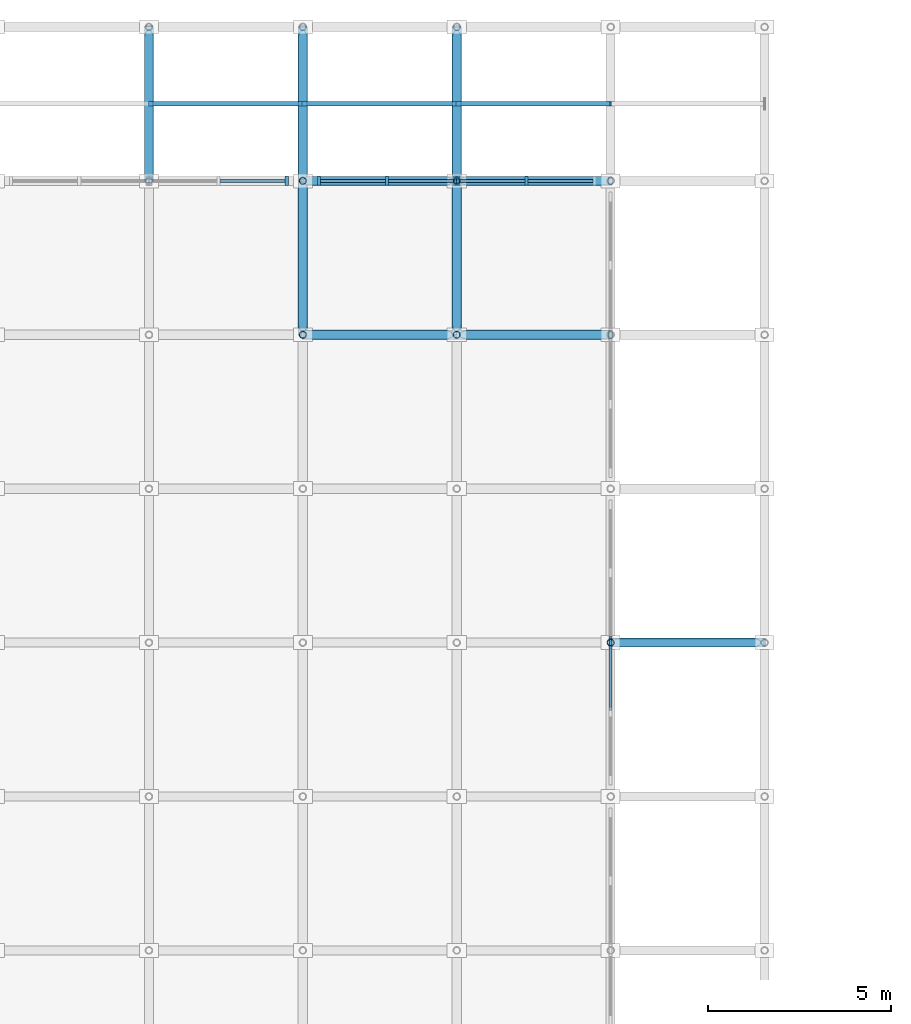
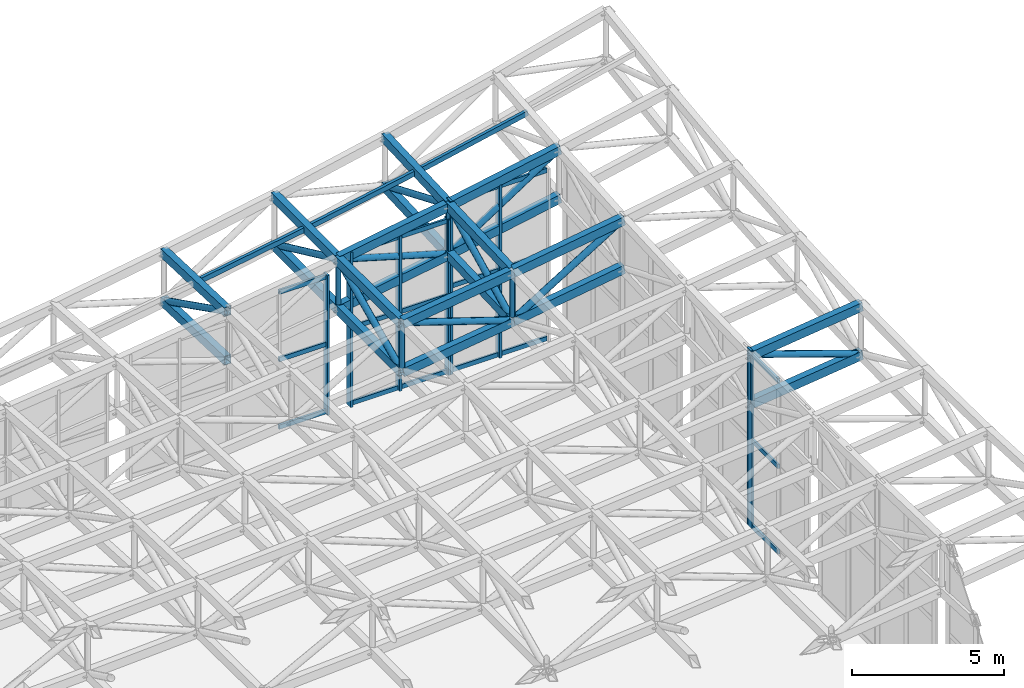
# One storey, part 59 of 111: 64 members, 5 elements without a shape of their own.
"""IFC4 building model written with IfcOpenShell, lengths in metres."""

from ifc_helpers import new_model, si_unit, direction, frame, origin, origin_2d, place, context, subcontext, project, spatial, rectangle, hollow_rectangle, hollow_circle, extrude, material, material_profile, profile_set, type_object, element, aggregate, save


model = new_model("IFC4")

# Units and contexts
model_context = context("Model", 3, precision=1e-05, world=origin(), true_north=direction((0.0, 1.0)))
body_context = subcontext(model_context, "Body", "Model", "MODEL_VIEW")
ifc_project = project(units=[si_unit("LENGTHUNIT", "METRE"), si_unit("AREAUNIT", "SQUARE_METRE"), si_unit("VOLUMEUNIT", "CUBIC_METRE"), si_unit("PLANEANGLEUNIT", "RADIAN"), si_unit("MASSUNIT", "GRAM", prefix="KILO")], contexts=[model_context])

# Site, building, storey
site_placement = place(None, origin())
site = spatial("IfcSite", under=ifc_project, at=site_placement, CompositionType="ELEMENT")
building_placement = place(site_placement, origin())
building = spatial("IfcBuilding", under=site, at=building_placement, Name="Cumbredor Promenade Congress Hotel", CompositionType="ELEMENT")
storey_placement = place(building_placement, frame((0.0, 0.0, 15.1201171875)))
storey = spatial("IfcBuildingStorey", under=building, at=storey_placement, Name="L04", CompositionType="ELEMENT", Elevation=15.1201171875)

# Curtain wall, member
ifc_material_1 = material(Name="Thermally broken anodized aluminium and low-E glass", Category="aluminium")
curtain_wall_type = type_object("IfcCurtainWallType", Name="Stepped Pavilion Clerestory Curtain Wall CW-06", PredefinedType="NOTDEFINED", material=ifc_material_1)
curtain_wall_1_placement = place(storey_placement, origin())
curtain_wall_1 = element("IfcCurtainWall", 1, at=curtain_wall_1_placement, inside=storey, type_object=curtain_wall_type, Name="Pre-Function and Breakout Meeting Forum N Glazed Clerestory 18", PredefinedType="NOTDEFINED")
ifc_material_2 = material(Name="Thermally broken anodized aluminium", Category="aluminium")
ifc_material_profile_1 = material_profile(ifc_material_2, rectangle(XDim=0.0849609375, YDim=0.260009765625, at=origin_2d()), Name="ALU MULLION CLERESTORY 85x260")
ifc_profile_set_1 = profile_set([ifc_material_profile_1], Name="Thermally broken anodized aluminium")
member_type_1 = type_object("IfcMemberType", Name="Curtain Wall Mullion ML-04", PredefinedType="MULLION", material=ifc_profile_set_1)
member_1_placement = place(storey_placement, frame((167.56005859375, 117.60009765625, -0.01806640625), z_axis=(0.0, 0.0, 1.0), x_axis=(1.0, 0.0, 0.0)))
member_1 = element("IfcMember", 2, at=member_1_placement, type_object=member_type_1, Name="Pre-Function and Breakout Meeting Forum N Glazed Clerestory 18 Mullion 3", PredefinedType="MULLION", context=body_context, shape_type="SweptSolid", body=[
    extrude(rectangle(XDim=0.0849609375, YDim=0.260009765625, at=origin_2d()), origin(), (0.0, 0.0, 1.0), 5.6123046875),
])

# Curtain wall, members
curtain_wall_2_placement = place(storey_placement, origin())
curtain_wall_2 = element("IfcCurtainWall", 3, at=curtain_wall_2_placement, inside=storey, type_object=curtain_wall_type, Name="Pre-Function and Breakout Meeting Forum N Glazed Clerestory 19", PredefinedType="NOTDEFINED")
member_2_placement = place(storey_placement, frame((168.43994140625, 117.60009765625, -0.01806640625), z_axis=(0.0, 0.0, 1.0), x_axis=(1.0, 0.0, 0.0)))
member_2 = element("IfcMember", 4, at=member_2_placement, type_object=member_type_1, Name="Pre-Function and Breakout Meeting Forum N Glazed Clerestory 19 Mullion 1", PredefinedType="MULLION", context=body_context, shape_type="SweptSolid", body=[
    extrude(rectangle(XDim=0.0849609375, YDim=0.260009765625, at=origin_2d()), origin(), (0.0, 0.0, 1.0), 6.243896484375),
])
member_3_placement = place(storey_placement, frame((170.300048828125, 117.60009765625, -0.01806640625), z_axis=(0.0, 0.0, 1.0), x_axis=(1.0, 0.0, 0.0)))
member_3 = element("IfcMember", 5, at=member_3_placement, type_object=member_type_1, Name="Pre-Function and Breakout Meeting Forum N Glazed Clerestory 19 Mullion 2", PredefinedType="MULLION", context=body_context, shape_type="SweptSolid", body=[
    extrude(rectangle(XDim=0.0849609375, YDim=0.260009765625, at=origin_2d()), origin(), (0.0, 0.0, 1.0), 6.243896484375),
])
member_4_placement = place(storey_placement, frame((172.159912109375, 117.60009765625, -0.01806640625), z_axis=(0.0, 0.0, 1.0), x_axis=(1.0, 0.0, 0.0)))
member_4 = element("IfcMember", 6, at=member_4_placement, type_object=member_type_1, Name="Pre-Function and Breakout Meeting Forum N Glazed Clerestory 19 Mullion 3", PredefinedType="MULLION", context=body_context, shape_type="SweptSolid", body=[
    extrude(rectangle(XDim=0.0849609375, YDim=0.260009765625, at=origin_2d()), origin(), (0.0, 0.0, 1.0), 6.243896484375),
])

curtain_wall_3_placement = place(storey_placement, origin())
curtain_wall_3 = element("IfcCurtainWall", 7, at=curtain_wall_3_placement, inside=storey, type_object=curtain_wall_type, Name="Pre-Function and Breakout Meeting Forum N Glazed Clerestory 20", PredefinedType="NOTDEFINED")
member_5_placement = place(storey_placement, frame((172.239990234375, 117.60009765625, -0.01806640625), z_axis=(0.0, 0.0, 1.0), x_axis=(1.0, 0.0, 0.0)))
member_5 = element("IfcMember", 8, at=member_5_placement, type_object=member_type_1, Name="Pre-Function and Breakout Meeting Forum N Glazed Clerestory 20 Mullion 1", PredefinedType="MULLION", context=body_context, shape_type="SweptSolid", body=[
    extrude(rectangle(XDim=0.0849609375, YDim=0.260009765625, at=origin_2d()), origin(), (0.0, 0.0, 1.0), 6.959228515625),
])
member_6_placement = place(storey_placement, frame((174.10009765625, 117.60009765625, -0.01806640625), z_axis=(0.0, 0.0, 1.0), x_axis=(1.0, 0.0, 0.0)))
member_6 = element("IfcMember", 9, at=member_6_placement, type_object=member_type_1, Name="Pre-Function and Breakout Meeting Forum N Glazed Clerestory 20 Mullion 2", PredefinedType="MULLION", context=body_context, shape_type="SweptSolid", body=[
    extrude(rectangle(XDim=0.0849609375, YDim=0.260009765625, at=origin_2d()), origin(), (0.0, 0.0, 1.0), 6.959228515625),
])

# Curtain wall, member
curtain_wall_4_placement = place(storey_placement, origin())
curtain_wall_4 = element("IfcCurtainWall", 10, at=curtain_wall_4_placement, inside=storey, type_object=curtain_wall_type, Name="Pre-Function and Breakout Meeting Forum E Glazed Clerestory 5", PredefinedType="NOTDEFINED")
member_7_placement = place(storey_placement, frame((176.39990234375, 104.9599609375, -0.01806640625), z_axis=(0.0, 0.0, 1.0), x_axis=(1.0, 0.0, 0.0)))
member_7 = element("IfcMember", 11, at=member_7_placement, type_object=member_type_1, Name="Pre-Function and Breakout Meeting Forum E Glazed Clerestory 5 Mullion 3", PredefinedType="MULLION", context=body_context, shape_type="SweptSolid", body=[
    extrude(rectangle(XDim=0.0849609375, YDim=0.260009765625, at=origin_2d()), origin(), (0.0, 0.0, 1.0), 7.078125),
])

curtain_wall_5_placement = place(storey_placement, origin())
curtain_wall_5 = element("IfcCurtainWall", 12, at=curtain_wall_5_placement, inside=storey, type_object=curtain_wall_type, Name="Pre-Function and Breakout Meeting Forum E Glazed Clerestory 6", PredefinedType="NOTDEFINED")
member_8_placement = place(storey_placement, frame((176.39990234375, 105.0400390625, -0.01806640625), z_axis=(0.0, 0.0, 1.0), x_axis=(1.0, 0.0, 0.0)))
member_8 = element("IfcMember", 13, at=member_8_placement, type_object=member_type_1, Name="Pre-Function and Breakout Meeting Forum E Glazed Clerestory 6 Mullion 1", PredefinedType="MULLION", context=body_context, shape_type="SweptSolid", body=[
    extrude(rectangle(XDim=0.0849609375, YDim=0.260009765625, at=origin_2d()), origin(), (0.0, 0.0, 1.0), 7.12060546875),
])
aggregate(curtain_wall_5, [member_8])

# Member
ifc_material_profile_2 = material_profile(ifc_material_2, rectangle(XDim=0.080078125, YDim=0.179931640625, at=origin_2d()), Name="ALU TRANSOM 80x180")
ifc_profile_set_2 = profile_set([ifc_material_profile_2], Name="Thermally broken anodized aluminium")
member_type_2 = type_object("IfcMemberType", Name="Curtain Wall Transom TR-03", PredefinedType="USERDEFINED", material=ifc_profile_set_2)
member_9_placement = place(storey_placement, frame((165.742431640625, 117.60009765625, 0.079833984375), z_axis=(1.0, 0.0, 0.0), x_axis=(0.0, 1.0, 0.0)))
member_9 = element("IfcMember", 14, at=member_9_placement, type_object=member_type_2, Name="Pre-Function and Breakout Meeting Forum N Glazed Clerestory 18 Transom 2.1", ObjectType="TRANSOM", PredefinedType="USERDEFINED", context=body_context, shape_type="SweptSolid", body=[
    extrude(rectangle(XDim=0.080078125, YDim=0.179931640625, at=origin_2d()), origin(), (0.0, 0.0, 1.0), 1.775146484375),
])

member_10_placement = place(storey_placement, frame((165.742431640625, 117.60009765625, 2.789794921875), z_axis=(1.0, 0.0, 0.0), x_axis=(0.0, 1.0, 0.0)))
member_10 = element("IfcMember", 15, at=member_10_placement, type_object=member_type_2, Name="Pre-Function and Breakout Meeting Forum N Glazed Clerestory 18 Transom 2.2", ObjectType="TRANSOM", PredefinedType="USERDEFINED", context=body_context, shape_type="SweptSolid", body=[
    extrude(rectangle(XDim=0.080078125, YDim=0.179931640625, at=origin_2d()), origin(), (0.0, 0.0, 1.0), 1.775146484375),
])

member_11_placement = place(storey_placement, frame((165.742431640625, 117.60009765625, 5.5), z_axis=(1.0, 0.0, 0.0), x_axis=(0.0, 1.0, 0.0)))
member_11 = element("IfcMember", 16, at=member_11_placement, type_object=member_type_2, Name="Pre-Function and Breakout Meeting Forum N Glazed Clerestory 18 Transom 2.3", ObjectType="TRANSOM", PredefinedType="USERDEFINED", context=body_context, shape_type="SweptSolid", body=[
    extrude(rectangle(XDim=0.080078125, YDim=0.179931640625, at=origin_2d()), origin(), (0.0, 0.0, 1.0), 1.775146484375),
])

aggregate(curtain_wall_1, [member_1, member_9, member_10, member_11])

member_12_placement = place(storey_placement, frame((168.482421875, 117.60009765625, 0.079833984375), z_axis=(1.0, 0.0, 0.0), x_axis=(0.0, 1.0, 0.0)))
member_12 = element("IfcMember", 17, at=member_12_placement, type_object=member_type_2, Name="Pre-Function and Breakout Meeting Forum N Glazed Clerestory 19 Transom 1.1", ObjectType="TRANSOM", PredefinedType="USERDEFINED", context=body_context, shape_type="SweptSolid", body=[
    extrude(rectangle(XDim=0.080078125, YDim=0.179931640625, at=origin_2d()), origin(), (0.0, 0.0, 1.0), 1.775146484375),
])

member_13_placement = place(storey_placement, frame((168.482421875, 117.60009765625, 3.10986328125), z_axis=(1.0, 0.0, 0.0), x_axis=(0.0, 1.0, 0.0)))
member_13 = element("IfcMember", 18, at=member_13_placement, type_object=member_type_2, Name="Pre-Function and Breakout Meeting Forum N Glazed Clerestory 19 Transom 1.2", ObjectType="TRANSOM", PredefinedType="USERDEFINED", context=body_context, shape_type="SweptSolid", body=[
    extrude(rectangle(XDim=0.080078125, YDim=0.179931640625, at=origin_2d()), origin(), (0.0, 0.0, 1.0), 1.775146484375),
])

member_14_placement = place(storey_placement, frame((168.482421875, 117.60009765625, 6.1298828125), z_axis=(1.0, 0.0, 0.0), x_axis=(0.0, 1.0, 0.0)))
member_14 = element("IfcMember", 19, at=member_14_placement, type_object=member_type_2, Name="Pre-Function and Breakout Meeting Forum N Glazed Clerestory 19 Transom 1.3", ObjectType="TRANSOM", PredefinedType="USERDEFINED", context=body_context, shape_type="SweptSolid", body=[
    extrude(rectangle(XDim=0.080078125, YDim=0.179931640625, at=origin_2d()), origin(), (0.0, 0.0, 1.0), 1.775146484375),
])

member_15_placement = place(storey_placement, frame((170.342529296875, 117.60009765625, 0.079833984375), z_axis=(1.0, 0.0, 0.0), x_axis=(0.0, 1.0, 0.0)))
member_15 = element("IfcMember", 20, at=member_15_placement, type_object=member_type_2, Name="Pre-Function and Breakout Meeting Forum N Glazed Clerestory 19 Transom 2.1", ObjectType="TRANSOM", PredefinedType="USERDEFINED", context=body_context, shape_type="SweptSolid", body=[
    extrude(rectangle(XDim=0.080078125, YDim=0.179931640625, at=origin_2d()), origin(), (0.0, 0.0, 1.0), 1.77490234375),
])

member_16_placement = place(storey_placement, frame((170.342529296875, 117.60009765625, 3.10986328125), z_axis=(1.0, 0.0, 0.0), x_axis=(0.0, 1.0, 0.0)))
member_16 = element("IfcMember", 21, at=member_16_placement, type_object=member_type_2, Name="Pre-Function and Breakout Meeting Forum N Glazed Clerestory 19 Transom 2.2", ObjectType="TRANSOM", PredefinedType="USERDEFINED", context=body_context, shape_type="SweptSolid", body=[
    extrude(rectangle(XDim=0.080078125, YDim=0.179931640625, at=origin_2d()), origin(), (0.0, 0.0, 1.0), 1.77490234375),
])

member_17_placement = place(storey_placement, frame((170.342529296875, 117.60009765625, 6.1298828125), z_axis=(1.0, 0.0, 0.0), x_axis=(0.0, 1.0, 0.0)))
member_17 = element("IfcMember", 22, at=member_17_placement, type_object=member_type_2, Name="Pre-Function and Breakout Meeting Forum N Glazed Clerestory 19 Transom 2.3", ObjectType="TRANSOM", PredefinedType="USERDEFINED", context=body_context, shape_type="SweptSolid", body=[
    extrude(rectangle(XDim=0.080078125, YDim=0.179931640625, at=origin_2d()), origin(), (0.0, 0.0, 1.0), 1.77490234375),
])

aggregate(curtain_wall_2, [member_2, member_3, member_4, member_12, member_13, member_14, member_15, member_16, member_17])

member_18_placement = place(storey_placement, frame((172.282470703125, 117.60009765625, 0.079833984375), z_axis=(1.0, 0.0, 0.0), x_axis=(0.0, 1.0, 0.0)))
member_18 = element("IfcMember", 23, at=member_18_placement, type_object=member_type_2, Name="Pre-Function and Breakout Meeting Forum N Glazed Clerestory 20 Transom 1.1", ObjectType="TRANSOM", PredefinedType="USERDEFINED", context=body_context, shape_type="SweptSolid", body=[
    extrude(rectangle(XDim=0.080078125, YDim=0.179931640625, at=origin_2d()), origin(), (0.0, 0.0, 1.0), 1.775146484375),
])

member_19_placement = place(storey_placement, frame((172.282470703125, 117.60009765625, 3.4599609375), z_axis=(1.0, 0.0, 0.0), x_axis=(0.0, 1.0, 0.0)))
member_19 = element("IfcMember", 24, at=member_19_placement, type_object=member_type_2, Name="Pre-Function and Breakout Meeting Forum N Glazed Clerestory 20 Transom 1.2", ObjectType="TRANSOM", PredefinedType="USERDEFINED", context=body_context, shape_type="SweptSolid", body=[
    extrude(rectangle(XDim=0.080078125, YDim=0.179931640625, at=origin_2d()), origin(), (0.0, 0.0, 1.0), 1.775146484375),
])

member_20_placement = place(storey_placement, frame((172.282470703125, 117.60009765625, 6.83984375), z_axis=(1.0, 0.0, 0.0), x_axis=(0.0, 1.0, 0.0)))
member_20 = element("IfcMember", 25, at=member_20_placement, type_object=member_type_2, Name="Pre-Function and Breakout Meeting Forum N Glazed Clerestory 20 Transom 1.3", ObjectType="TRANSOM", PredefinedType="USERDEFINED", context=body_context, shape_type="SweptSolid", body=[
    extrude(rectangle(XDim=0.080078125, YDim=0.179931640625, at=origin_2d()), origin(), (0.0, 0.0, 1.0), 1.775146484375),
])

member_21_placement = place(storey_placement, frame((174.142578125, 117.60009765625, 0.079833984375), z_axis=(1.0, 0.0, 0.0), x_axis=(0.0, 1.0, 0.0)))
member_21 = element("IfcMember", 26, at=member_21_placement, type_object=member_type_2, Name="Pre-Function and Breakout Meeting Forum N Glazed Clerestory 20 Transom 2.1", ObjectType="TRANSOM", PredefinedType="USERDEFINED", context=body_context, shape_type="SweptSolid", body=[
    extrude(rectangle(XDim=0.080078125, YDim=0.179931640625, at=origin_2d()), origin(), (0.0, 0.0, 1.0), 1.77490234375),
])

member_22_placement = place(storey_placement, frame((174.142578125, 117.60009765625, 3.4599609375), z_axis=(1.0, 0.0, 0.0), x_axis=(0.0, 1.0, 0.0)))
member_22 = element("IfcMember", 27, at=member_22_placement, type_object=member_type_2, Name="Pre-Function and Breakout Meeting Forum N Glazed Clerestory 20 Transom 2.2", ObjectType="TRANSOM", PredefinedType="USERDEFINED", context=body_context, shape_type="SweptSolid", body=[
    extrude(rectangle(XDim=0.080078125, YDim=0.179931640625, at=origin_2d()), origin(), (0.0, 0.0, 1.0), 1.77490234375),
])

member_23_placement = place(storey_placement, frame((174.142578125, 117.60009765625, 6.83984375), z_axis=(1.0, 0.0, 0.0), x_axis=(0.0, 1.0, 0.0)))
member_23 = element("IfcMember", 28, at=member_23_placement, type_object=member_type_2, Name="Pre-Function and Breakout Meeting Forum N Glazed Clerestory 20 Transom 2.3", ObjectType="TRANSOM", PredefinedType="USERDEFINED", context=body_context, shape_type="SweptSolid", body=[
    extrude(rectangle(XDim=0.080078125, YDim=0.179931640625, at=origin_2d()), origin(), (0.0, 0.0, 1.0), 1.77490234375),
])

aggregate(curtain_wall_3, [member_5, member_6, member_18, member_19, member_20, member_21, member_22, member_23])

member_24_placement = place(storey_placement, frame((176.39990234375, 103.142578125, 0.079833984375), z_axis=(0.0, 1.0, 0.0), x_axis=(-1.0, 0.0, 0.0)))
member_24 = element("IfcMember", 29, at=member_24_placement, type_object=member_type_2, Name="Pre-Function and Breakout Meeting Forum E Glazed Clerestory 5 Transom 2.1", ObjectType="TRANSOM", PredefinedType="USERDEFINED", context=body_context, shape_type="SweptSolid", body=[
    extrude(rectangle(XDim=0.080078125, YDim=0.179931640625, at=origin_2d()), origin(), (0.0, 0.0, 1.0), 1.77490234375),
])

member_25_placement = place(storey_placement, frame((176.39990234375, 103.142578125, 3.519775390625), z_axis=(0.0, 1.0, 0.0), x_axis=(-1.0, 0.0, 0.0)))
member_25 = element("IfcMember", 30, at=member_25_placement, type_object=member_type_2, Name="Pre-Function and Breakout Meeting Forum E Glazed Clerestory 5 Transom 2.2", ObjectType="TRANSOM", PredefinedType="USERDEFINED", context=body_context, shape_type="SweptSolid", body=[
    extrude(rectangle(XDim=0.080078125, YDim=0.179931640625, at=origin_2d()), origin(), (0.0, 0.0, 1.0), 1.77490234375),
])

member_26_placement = place(storey_placement, frame((176.39990234375, 103.142578125, 6.9599609375), z_axis=(0.0, 1.0, 0.0), x_axis=(-1.0, 0.0, 0.0)))
member_26 = element("IfcMember", 31, at=member_26_placement, type_object=member_type_2, Name="Pre-Function and Breakout Meeting Forum E Glazed Clerestory 5 Transom 2.3", ObjectType="TRANSOM", PredefinedType="USERDEFINED", context=body_context, shape_type="SweptSolid", body=[
    extrude(rectangle(XDim=0.080078125, YDim=0.179931640625, at=origin_2d()), origin(), (0.0, 0.0, 1.0), 1.77490234375),
])

aggregate(curtain_wall_4, [member_7, member_24, member_25, member_26])

# Members
ifc_material_3 = material(Name="Steel ASTM A500 Grade C", Category="steel")
ifc_material_profile_3 = material_profile(ifc_material_3, hollow_rectangle(XDim=0.25, YDim=0.35009765625, WallThickness=0.01611328125, at=origin_2d()), Name="HSS 350x250x16")
ifc_profile_set_3 = profile_set([ifc_material_profile_3], Name="Steel ASTM A500 Grade C")
member_type_3 = type_object("IfcMemberType", Name="Forum Roof Truss Chord", PredefinedType="CHORD", material=ifc_profile_set_3)
for number, where, z_axis, x_axis, name in (
    (32, (176.39990234375, 105.0, 6.9013671875), (0.992667000964, 0.0, 0.120881037376), (0.0, 1.0, 0.0), "Pre-Function and Breakout Meeting Forum X Top Chord 22.7"),
    (33, (176.39990234375, 105.0, 4.951416015625), (0.992667000964, 0.0, 0.120881037376), (0.0, 1.0, 0.0), "Pre-Function and Breakout Meeting Forum X Bottom Chord 22.7"),
):
    element("IfcMember", number, at=place(storey_placement, frame(where, z_axis=z_axis, x_axis=x_axis)), inside=storey, type_object=member_type_3, Name=name, PredefinedType="CHORD", context=body_context, shape_type="SweptSolid", body=[
        extrude(hollow_rectangle(XDim=0.25, YDim=0.35009765625, WallThickness=0.01611328125, at=origin_2d()), origin(), (0.0, 0.0, 1.0), 4.231201171875),
    ])
for number, where, z_axis, x_axis, name in (
    (34, (168.0, 113.39990234375, 6.02587890625), (0.99078279409, 0.0, 0.135460159955), (0.0, 1.0, 0.0), "Pre-Function and Breakout Meeting Forum X Top Chord 20.9"),
    (35, (168.0, 113.39990234375, 4.07568359375), (0.990775062808, 0.0, 0.135516696087), (0.0, 1.0, 0.0), "Pre-Function and Breakout Meeting Forum X Bottom Chord 20.9"),
):
    element("IfcMember", number, at=place(storey_placement, frame(where, z_axis=z_axis, x_axis=x_axis)), inside=storey, type_object=member_type_3, Name=name, PredefinedType="CHORD", context=body_context, shape_type="SweptSolid", body=[
        extrude(hollow_rectangle(XDim=0.25, YDim=0.35009765625, WallThickness=0.01611328125, at=origin_2d()), origin(), (0.0, 0.0, 1.0), 4.239013671875),
    ])
for number, where, z_axis, x_axis, name in (
    (36, (172.199951171875, 113.39990234375, 6.60009765625), (0.988523328552, 0.0, 0.151068292203), (0.0, 1.0, 0.0), "Pre-Function and Breakout Meeting Forum X Top Chord 21.9"),
    (37, (172.199951171875, 113.39990234375, 4.650146484375), (0.988523328552, 0.0, 0.151068292203), (0.0, 1.0, 0.0), "Pre-Function and Breakout Meeting Forum X Bottom Chord 21.9"),
):
    element("IfcMember", number, at=place(storey_placement, frame(where, z_axis=z_axis, x_axis=x_axis)), inside=storey, type_object=member_type_3, Name=name, PredefinedType="CHORD", context=body_context, shape_type="SweptSolid", body=[
        extrude(hollow_rectangle(XDim=0.25, YDim=0.35009765625, WallThickness=0.01611328125, at=origin_2d()), origin(), (0.0, 0.0, 1.0), 4.248779296875),
    ])
for number, where, z_axis, x_axis, name in (
    (38, (168.0, 117.60009765625, 6.02490234375), (0.985803819477, 0.0, 0.167901249263), (0.0, 1.0, 0.0), "Pre-Function and Breakout Meeting Forum X Top Chord 20.10"),
    (39, (168.0, 117.60009765625, 4.07470703125), (0.98579433314, 0.0, 0.167956937187), (0.0, 1.0, 0.0), "Pre-Function and Breakout Meeting Forum X Bottom Chord 20.10"),
):
    element("IfcMember", number, at=place(storey_placement, frame(where, z_axis=z_axis, x_axis=x_axis)), inside=storey, type_object=member_type_3, Name=name, PredefinedType="CHORD", context=body_context, shape_type="SweptSolid", body=[
        extrude(hollow_rectangle(XDim=0.25, YDim=0.35009765625, WallThickness=0.01611328125, at=origin_2d()), origin(), (0.0, 0.0, 1.0), 4.260498046875),
    ])
for number, where, z_axis, x_axis, name in (
    (40, (172.199951171875, 117.60009765625, 6.740234375), (0.982367544191, 0.0, 0.186959910462), (0.0, 1.0, 0.0), "Pre-Function and Breakout Meeting Forum X Top Chord 21.10"),
    (41, (172.199951171875, 117.60009765625, 4.790283203125), (0.982367544191, 0.0, 0.186959910462), (0.0, 1.0, 0.0), "Pre-Function and Breakout Meeting Forum X Bottom Chord 21.10"),
):
    element("IfcMember", number, at=place(storey_placement, frame(where, z_axis=z_axis, x_axis=x_axis)), inside=storey, type_object=member_type_3, Name=name, PredefinedType="CHORD", context=body_context, shape_type="SweptSolid", body=[
        extrude(hollow_rectangle(XDim=0.25, YDim=0.35009765625, WallThickness=0.01611328125, at=origin_2d()), origin(), (0.0, 0.0, 1.0), 4.275390625),
    ])
for number, where, z_axis, x_axis, name in (
    (42, (163.800048828125, 117.60009765625, 5.39306640625), (0.0, 0.999282553953, -0.037873174747), (-1.0, 0.0, 0.0), "Pre-Function and Breakout Meeting Forum Y Top Chord 19.10"),
    (43, (163.800048828125, 117.60009765625, 3.443115234375), (0.0, 0.999282553953, -0.037873174747), (-1.0, 0.0, 0.0), "Pre-Function and Breakout Meeting Forum Y Bottom Chord 19.10"),
):
    element("IfcMember", number, at=place(storey_placement, frame(where, z_axis=z_axis, x_axis=x_axis)), inside=storey, type_object=member_type_3, Name=name, PredefinedType="CHORD", context=body_context, shape_type="SweptSolid", body=[
        extrude(hollow_rectangle(XDim=0.25, YDim=0.35009765625, WallThickness=0.01611328125, at=origin_2d()), origin(), (0.0, 0.0, 1.0), 4.202880859375),
    ])
for number, where, z_axis, x_axis, name in (
    (44, (168.0, 113.39990234375, 6.02587890625), (0.0, 0.999999972971, -0.000232504063), (-1.0, 0.0, 0.0), "Pre-Function and Breakout Meeting Forum Y Top Chord 20.9"),
    (45, (168.0, 113.39990234375, 4.07568359375), (0.0, 0.999999972971, -0.000232504063), (-1.0, 0.0, 0.0), "Pre-Function and Breakout Meeting Forum Y Bottom Chord 20.9"),
):
    element("IfcMember", number, at=place(storey_placement, frame(where, z_axis=z_axis, x_axis=x_axis)), inside=storey, type_object=member_type_3, Name=name, PredefinedType="CHORD", context=body_context, shape_type="SweptSolid", body=[
        extrude(hollow_rectangle(XDim=0.25, YDim=0.35009765625, WallThickness=0.01611328125, at=origin_2d()), origin(), (0.0, 0.0, 1.0), 4.2001953125),
    ])
for number, where, z_axis, x_axis, name in (
    (46, (168.0, 117.60009765625, 6.02490234375), (0.0, 0.999999939178, 0.000348776355), (-1.0, 0.0, 0.0), "Pre-Function and Breakout Meeting Forum Y Top Chord 20.10"),
    (47, (168.0, 117.60009765625, 4.07470703125), (0.0, 0.999999939178, 0.000348776355), (-1.0, 0.0, 0.0), "Pre-Function and Breakout Meeting Forum Y Bottom Chord 20.10"),
):
    element("IfcMember", number, at=place(storey_placement, frame(where, z_axis=z_axis, x_axis=x_axis)), inside=storey, type_object=member_type_3, Name=name, PredefinedType="CHORD", context=body_context, shape_type="SweptSolid", body=[
        extrude(hollow_rectangle(XDim=0.25, YDim=0.35009765625, WallThickness=0.01611328125, at=origin_2d()), origin(), (0.0, 0.0, 1.0), 4.199951171875),
    ])
for number, where, z_axis, x_axis, name in (
    (48, (172.199951171875, 113.39990234375, 6.60009765625), (0.0, 0.999443874869, 0.033345779131), (-1.0, 0.0, 0.0), "Pre-Function and Breakout Meeting Forum Y Top Chord 21.9"),
    (49, (172.199951171875, 113.39990234375, 4.650146484375), (0.0, 0.999443874869, 0.033345779131), (-1.0, 0.0, 0.0), "Pre-Function and Breakout Meeting Forum Y Bottom Chord 21.9"),
):
    element("IfcMember", number, at=place(storey_placement, frame(where, z_axis=z_axis, x_axis=x_axis)), inside=storey, type_object=member_type_3, Name=name, PredefinedType="CHORD", context=body_context, shape_type="SweptSolid", body=[
        extrude(hollow_rectangle(XDim=0.25, YDim=0.35009765625, WallThickness=0.01611328125, at=origin_2d()), origin(), (0.0, 0.0, 1.0), 4.20263671875),
    ])
for number, where, z_axis, x_axis, name in (
    (50, (172.199951171875, 117.60009765625, 6.740234375), (0.0, 0.99904594053, 0.043671600725), (-1.0, 0.0, 0.0), "Pre-Function and Breakout Meeting Forum Y Top Chord 21.10"),
    (51, (172.199951171875, 117.60009765625, 4.790283203125), (0.0, 0.99904594053, 0.043671600725), (-1.0, 0.0, 0.0), "Pre-Function and Breakout Meeting Forum Y Bottom Chord 21.10"),
):
    element("IfcMember", number, at=place(storey_placement, frame(where, z_axis=z_axis, x_axis=x_axis)), inside=storey, type_object=member_type_3, Name=name, PredefinedType="CHORD", context=body_context, shape_type="SweptSolid", body=[
        extrude(hollow_rectangle(XDim=0.25, YDim=0.35009765625, WallThickness=0.01611328125, at=origin_2d()), origin(), (0.0, 0.0, 1.0), 4.203857421875),
    ])
ifc_material_profile_4 = material_profile(ifc_material_3, hollow_rectangle(XDim=0.1201171875, YDim=0.199951171875, WallThickness=0.010009765625, at=origin_2d()), Name="HSS 200x120x10")
ifc_profile_set_4 = profile_set([ifc_material_profile_4], Name="Steel ASTM A500 Grade C")
member_type_4 = type_object("IfcMemberType", Name="Roof Purlin HSS200x120", PredefinedType="PURLIN", material=ifc_profile_set_4)
member_27_placement = place(storey_placement, frame((163.800048828125, 119.699951171875, 5.293701171875), z_axis=(0.985936316925, 0.0, 0.167121449756), x_axis=(0.0, 1.0, 0.0)))
element("IfcMember", 52, at=member_27_placement, inside=storey, type_object=member_type_4, Name="Pre-Function and Breakout Meeting Forum Roof Eave Purlin 19.10", PredefinedType="PURLIN", context=body_context, shape_type="SweptSolid", body=[
    extrude(hollow_rectangle(XDim=0.1201171875, YDim=0.199951171875, WallThickness=0.010009765625, at=origin_2d()), origin(), (0.0, 0.0, 1.0), 4.259765625),
])
member_28_placement = place(storey_placement, frame((168.0, 119.699951171875, 6.005615234375), z_axis=(0.982062187843, 0.0, 0.188557310146), x_axis=(0.0, 1.0, 0.0)))
element("IfcMember", 53, at=member_28_placement, inside=storey, type_object=member_type_4, Name="Pre-Function and Breakout Meeting Forum Roof Eave Purlin 20.10", PredefinedType="PURLIN", context=body_context, shape_type="SweptSolid", body=[
    extrude(hollow_rectangle(XDim=0.1201171875, YDim=0.199951171875, WallThickness=0.010009765625, at=origin_2d()), origin(), (0.0, 0.0, 1.0), 4.276611328125),
])
member_29_placement = place(storey_placement, frame((172.199951171875, 119.699951171875, 6.81201171875), z_axis=(0.97775997453, 0.0, 0.209727042145), x_axis=(0.0, 1.0, 0.0)))
element("IfcMember", 54, at=member_29_placement, inside=storey, type_object=member_type_4, Name="Pre-Function and Breakout Meeting Forum Roof Eave Purlin 21.10", PredefinedType="PURLIN", context=body_context, shape_type="SweptSolid", body=[
    extrude(hollow_rectangle(XDim=0.1201171875, YDim=0.199951171875, WallThickness=0.010009765625, at=origin_2d()), origin(), (0.0, 0.0, 1.0), 4.29541015625),
])
ifc_material_profile_5 = material_profile(ifc_material_3, hollow_circle(Radius=0.122314453125, WallThickness=0.012451171875, at=origin_2d()), Name="CHS 244.5x12.5")
ifc_profile_set_5 = profile_set([ifc_material_profile_5], Name="Steel ASTM A500 Grade C")
member_type_5 = type_object("IfcMemberType", Name="Space Frame Web Diagonal D2", PredefinedType="BRACE", material=ifc_profile_set_5)
member_30_placement = place(storey_placement, frame((176.39990234375, 105.0, 6.9013671875), z_axis=(0.94605579221, 0.0, -0.324003762364), x_axis=(0.0, 1.0, 0.0)))
element("IfcMember", 55, at=member_30_placement, inside=storey, type_object=member_type_5, Name="Pre-Function and Breakout Meeting Forum X Web Diagonal 22.7", PredefinedType="BRACE", context=body_context, shape_type="SweptSolid", body=[
    extrude(hollow_circle(Radius=0.122314453125, WallThickness=0.012451171875, at=origin_2d()), origin(), (0.0, 0.0, 1.0), 4.439697265625),
])
member_31_placement = place(storey_placement, frame((168.0, 113.39990234375, 6.02587890625), z_axis=(0.950316635251, 0.0, -0.3112849061), x_axis=(0.0, 1.0, 0.0)))
element("IfcMember", 56, at=member_31_placement, inside=storey, type_object=member_type_5, Name="Pre-Function and Breakout Meeting Forum X Web Diagonal 20.9", PredefinedType="BRACE", context=body_context, shape_type="SweptSolid", body=[
    extrude(hollow_circle(Radius=0.122314453125, WallThickness=0.012451171875, at=origin_2d()), origin(), (0.0, 0.0, 1.0), 4.41943359375),
])
member_32_placement = place(storey_placement, frame((172.199951171875, 113.39990234375, 4.650146484375), z_axis=(0.851005438244, 0.0, 0.525156875685), x_axis=(0.0, 1.0, 0.0)))
element("IfcMember", 57, at=member_32_placement, inside=storey, type_object=member_type_5, Name="Pre-Function and Breakout Meeting Forum X Web Diagonal 21.9", PredefinedType="BRACE", context=body_context, shape_type="SweptSolid", body=[
    extrude(hollow_circle(Radius=0.122314453125, WallThickness=0.012451171875, at=origin_2d()), origin(), (0.0, 0.0, 1.0), 4.935302734375),
])
member_33_placement = place(storey_placement, frame((168.0, 117.60009765625, 6.02490234375), z_axis=(0.959406341943, 0.0, -0.282027429588), x_axis=(0.0, 1.0, 0.0)))
element("IfcMember", 58, at=member_33_placement, inside=storey, type_object=member_type_5, Name="Pre-Function and Breakout Meeting Forum X Web Diagonal 20.10", PredefinedType="BRACE", context=body_context, shape_type="SweptSolid", body=[
    extrude(hollow_circle(Radius=0.122314453125, WallThickness=0.012451171875, at=origin_2d()), origin(), (0.0, 0.0, 1.0), 4.377685546875),
])
member_34_placement = place(storey_placement, frame((172.199951171875, 117.60009765625, 4.790283203125), z_axis=(0.836682471757, 0.0, 0.547688270328), x_axis=(0.0, 1.0, 0.0)))
element("IfcMember", 59, at=member_34_placement, inside=storey, type_object=member_type_5, Name="Pre-Function and Breakout Meeting Forum X Web Diagonal 21.10", PredefinedType="BRACE", context=body_context, shape_type="SweptSolid", body=[
    extrude(hollow_circle(Radius=0.122314453125, WallThickness=0.012451171875, at=origin_2d()), origin(), (0.0, 0.0, 1.0), 5.019775390625),
])
member_35_placement = place(storey_placement, frame((163.800048828125, 117.60009765625, 5.39306640625), z_axis=(0.0, 0.89364662626, -0.448771330829), x_axis=(-1.0, 0.0, 0.0)))
element("IfcMember", 60, at=member_35_placement, inside=storey, type_object=member_type_5, Name="Pre-Function and Breakout Meeting Forum Y Web Diagonal 19.10", PredefinedType="BRACE", context=body_context, shape_type="SweptSolid", body=[
    extrude(hollow_circle(Radius=0.122314453125, WallThickness=0.012451171875, at=origin_2d()), origin(), (0.0, 0.0, 1.0), 4.69970703125),
])
member_36_placement = place(storey_placement, frame((168.0, 113.39990234375, 4.07568359375), z_axis=(0.0, 0.907080877393, 0.420956389509), x_axis=(-1.0, 0.0, 0.0)))
element("IfcMember", 61, at=member_36_placement, inside=storey, type_object=member_type_5, Name="Pre-Function and Breakout Meeting Forum Y Web Diagonal 20.9", PredefinedType="BRACE", context=body_context, shape_type="SweptSolid", body=[
    extrude(hollow_circle(Radius=0.122314453125, WallThickness=0.012451171875, at=origin_2d()), origin(), (0.0, 0.0, 1.0), 4.63037109375),
])
member_37_placement = place(storey_placement, frame((168.0, 117.60009765625, 6.02490234375), z_axis=(0.0, 0.907111799886, -0.420889751014), x_axis=(-1.0, 0.0, 0.0)))
element("IfcMember", 62, at=member_37_placement, inside=storey, type_object=member_type_5, Name="Pre-Function and Breakout Meeting Forum Y Web Diagonal 20.10", PredefinedType="BRACE", context=body_context, shape_type="SweptSolid", body=[
    extrude(hollow_circle(Radius=0.122314453125, WallThickness=0.012451171875, at=origin_2d()), origin(), (0.0, 0.0, 1.0), 4.630126953125),
])
member_38_placement = place(storey_placement, frame((172.199951171875, 113.39990234375, 4.650146484375), z_axis=(0.0, 0.895279001982, 0.445505901881), x_axis=(-1.0, 0.0, 0.0)))
element("IfcMember", 63, at=member_38_placement, inside=storey, type_object=member_type_5, Name="Pre-Function and Breakout Meeting Forum Y Web Diagonal 21.9", PredefinedType="BRACE", context=body_context, shape_type="SweptSolid", body=[
    extrude(hollow_circle(Radius=0.122314453125, WallThickness=0.012451171875, at=origin_2d()), origin(), (0.0, 0.0, 1.0), 4.69140625),
])
member_39_placement = place(storey_placement, frame((172.199951171875, 117.60009765625, 6.740234375), z_axis=(0.0, 0.921795668475, -0.387676083324), x_axis=(-1.0, 0.0, 0.0)))
element("IfcMember", 64, at=member_39_placement, inside=storey, type_object=member_type_5, Name="Pre-Function and Breakout Meeting Forum Y Web Diagonal 21.10", PredefinedType="BRACE", context=body_context, shape_type="SweptSolid", body=[
    extrude(hollow_circle(Radius=0.122314453125, WallThickness=0.012451171875, at=origin_2d()), origin(), (0.0, 0.0, 1.0), 4.55615234375),
])
ifc_material_profile_6 = material_profile(ifc_material_3, hollow_circle(Radius=0.096923828125, WallThickness=0.010009765625, at=origin_2d()), Name="CHS 193.7x10")
ifc_profile_set_6 = profile_set([ifc_material_profile_6], Name="Steel ASTM A500 Grade C")
member_type_6 = type_object("IfcMemberType", Name="Space Frame Web Post P1", PredefinedType="BRACE", material=ifc_profile_set_6)
for number, where, z_axis, x_axis, name in (
    (65, (168.0, 113.39990234375, 4.07568359375), (0.0, 0.0, 1.0), (1.0, 0.0, 0.0), "Pre-Function and Breakout Meeting Forum Space Frame Web Post 20.9"),
    (66, (168.0, 117.60009765625, 4.07470703125), (0.0, 0.0, 1.0), (1.0, 0.0, 0.0), "Pre-Function and Breakout Meeting Forum Space Frame Web Post 20.10"),
):
    element("IfcMember", number, at=place(storey_placement, frame(where, z_axis=z_axis, x_axis=x_axis)), inside=storey, type_object=member_type_6, Name=name, PredefinedType="BRACE", context=body_context, shape_type="SweptSolid", body=[
        extrude(hollow_circle(Radius=0.096923828125, WallThickness=0.010009765625, at=origin_2d()), origin(), (0.0, 0.0, 1.0), 1.9501953125),
    ])
for number, where, z_axis, x_axis, name in (
    (67, (172.199951171875, 113.39990234375, 4.650146484375), (0.0, 0.0, 1.0), (1.0, 0.0, 0.0), "Pre-Function and Breakout Meeting Forum Space Frame Web Post 21.9"),
    (68, (172.199951171875, 117.60009765625, 4.790283203125), (0.0, 0.0, 1.0), (1.0, 0.0, 0.0), "Pre-Function and Breakout Meeting Forum Space Frame Web Post 21.10"),
    (69, (176.39990234375, 105.0, 4.951416015625), (0.0, 0.0, 1.0), (1.0, 0.0, 0.0), "Pre-Function and Breakout Meeting Forum Space Frame Web Post 22.7"),
):
    element("IfcMember", number, at=place(storey_placement, frame(where, z_axis=z_axis, x_axis=x_axis)), inside=storey, type_object=member_type_6, Name=name, PredefinedType="BRACE", context=body_context, shape_type="SweptSolid", body=[
        extrude(hollow_circle(Radius=0.096923828125, WallThickness=0.010009765625, at=origin_2d()), origin(), (0.0, 0.0, 1.0), 1.949951171875),
    ])

save(model, "model.ifc")
